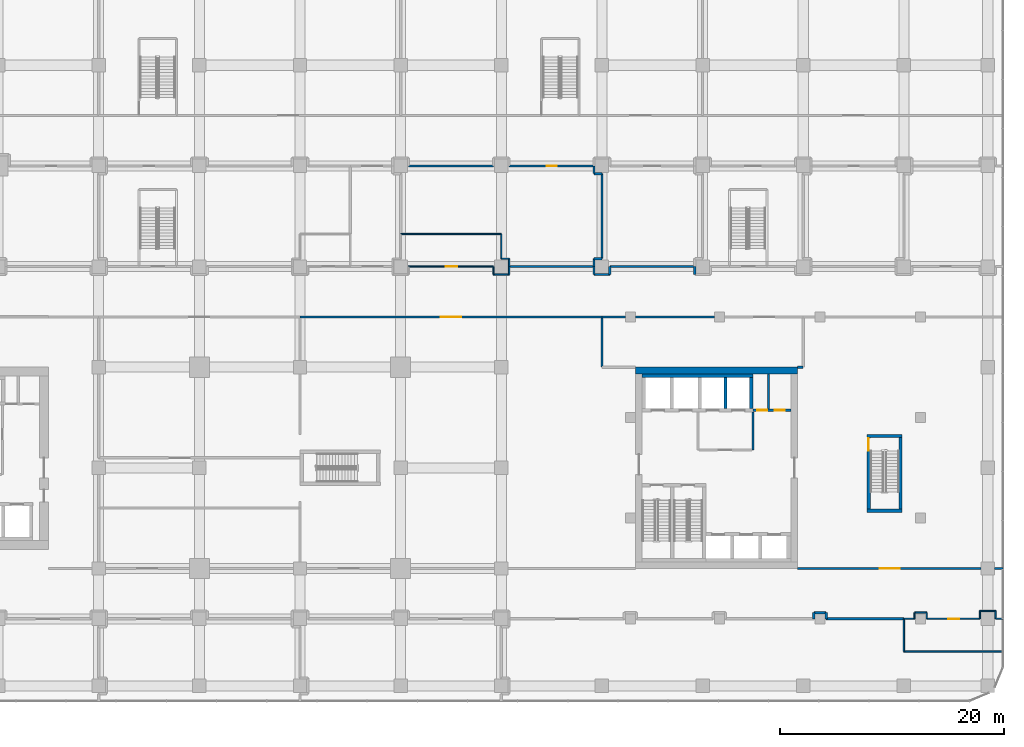
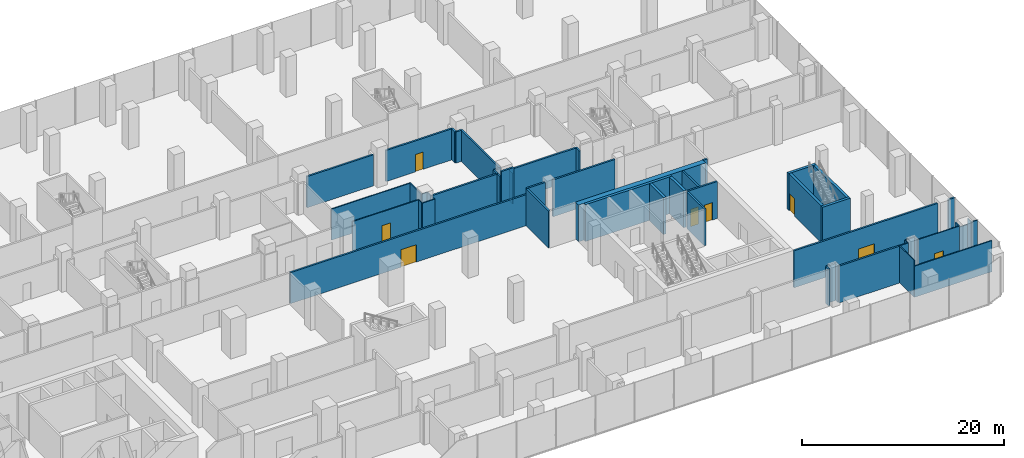
# One storey, part 34 of 42: 54 walls, 8 doors, 8 openings.
"""IFC4 building model written with IfcOpenShell, lengths in metres."""

import ifcopenshell
import ifcopenshell.guid

model = None  # the IFC model being written
_history = None  # IfcOwnerHistory: only IFC2X3 demands one
_inside = {}  # id of a spatial element -> (the spatial element, [elements in it])
_under = {}  # id of a project, library or spatial element -> (it, [spatial elements below it])
_declared = {}  # id of a project -> (the project, [libraries it declares])
_typed = {}  # id of a type object -> (the type object, [elements of that type])
_made_of = {}  # id of a material, layer set ... -> (it, [elements and type objects made of it])


def new_model(schema):
    """Start an empty IFC model of exactly this schema.

    Asked for "IFC4X3", IfcOpenShell would pick the latest addendum, in which some entities
    have other attributes; the version numbers below select the first issue.
    IFC2X3 requires an IfcOwnerHistory on every rooted entity: one is made here for all.
    """
    global model, _history
    if schema == "IFC4X3":
        model = ifcopenshell.file(schema_version=(4, 3, 0, 0))
    else:
        model = ifcopenshell.file(schema=schema)
    _inside.clear()
    _under.clear()
    _declared.clear()
    _typed.clear()
    _made_of.clear()
    _history = None
    if model.schema == "IFC2X3":
        org = make("IfcOrganization", Name="unknown")
        user = make(
            "IfcPersonAndOrganization",
            ThePerson=make("IfcPerson", FamilyName="unknown"),
            TheOrganization=org,
        )
        app = make(
            "IfcApplication",
            ApplicationDeveloper=org,
            Version="unknown",
            ApplicationFullName="unknown",
            ApplicationIdentifier="unknown",
        )
        _history = make(
            "IfcOwnerHistory",
            OwningUser=user,
            OwningApplication=app,
            ChangeAction="ADDED",
            CreationDate=0,
        )
    return model


def make(cls, **values):
    """One entity of the class cls with the attributes given. An attribute that is None is left unset."""
    return model.create_entity(
        cls, **{name: value for name, value in values.items() if value is not None}
    )


def rooted(cls, **values):
    """An entity with a GlobalId (a new one), such as an element, a storey or a relation."""
    return make(cls, GlobalId=ifcopenshell.guid.new(), OwnerHistory=_history, **values)


def si_unit(unit_type, name, prefix=None):
    """IfcSIUnit, for example si_unit("LENGTHUNIT", "METRE", prefix="MILLI")."""
    return make("IfcSIUnit", UnitType=unit_type, Prefix=prefix, Name=name)


def assignment(units):
    """IfcUnitAssignment: the units of a project."""
    return None if units is None else make("IfcUnitAssignment", Units=units)


def point(xyz):
    """IfcCartesianPoint."""
    return None if xyz is None else make("IfcCartesianPoint", Coordinates=xyz)


def direction(xyz):
    """IfcDirection."""
    return None if xyz is None else make("IfcDirection", DirectionRatios=xyz)


def frame(location, z_axis=None, x_axis=None):
    """IfcAxis2Placement3D, a coordinate frame: its origin and axes. An axis left out is left unset."""
    return make(
        "IfcAxis2Placement3D",
        Location=point(location),
        Axis=direction(z_axis),
        RefDirection=direction(x_axis),
    )


def frame_2d(location, x_axis=None):
    """IfcAxis2Placement2D, a coordinate frame in the plane: its origin and x axis."""
    return make(
        "IfcAxis2Placement2D", Location=point(location), RefDirection=direction(x_axis)
    )


def origin():
    """The frame at (0, 0, 0) with its axes left unset."""
    return frame((0.0, 0.0, 0.0))


def place(relative_to, where):
    """IfcLocalPlacement: puts the frame where relative to a parent placement (None: the world)."""
    return make(
        "IfcLocalPlacement", PlacementRelTo=relative_to, RelativePlacement=where
    )


def context(
    kind, dimensions, precision=None, world=None, true_north=None, identifier=None
):
    """IfcGeometricRepresentationContext, for example the 3D "Model" context."""
    return make(
        "IfcGeometricRepresentationContext",
        ContextIdentifier=identifier,
        ContextType=kind,
        CoordinateSpaceDimension=dimensions,
        Precision=precision,
        WorldCoordinateSystem=world,
        TrueNorth=true_north,
    )


def subcontext(parent, identifier, kind, view, scale=None):
    """IfcGeometricRepresentationSubContext, for example "Body" below "Model"."""
    return make(
        "IfcGeometricRepresentationSubContext",
        ContextIdentifier=identifier,
        ContextType=kind,
        ParentContext=parent,
        TargetScale=scale,
        TargetView=view,
    )


def project(units=None, contexts=None):
    """IfcProject with its units and contexts."""
    return rooted(
        "IfcProject",
        Name="project",
        RepresentationContexts=contexts,
        UnitsInContext=assignment(units),
    )


def spatial(cls, under=None, at=None, **own):
    """A site, building, storey or space (cls), placed at a placement, below another one or the project."""
    s = rooted(cls, ObjectPlacement=at, **own)
    if under is not None:
        _under.setdefault(under.id(), (under, []))[1].append(s)
    return s


def profile(cls, at=None, kind="AREA", **sizes):
    """A parametric profile (cls). Its sizes go by their IFC names, for example OverallWidth=200.0."""
    return make(cls, ProfileType=kind, Position=at, **sizes)


def rectangle(**sizes):
    """IfcRectangleProfileDef."""
    return profile("IfcRectangleProfileDef", **sizes)


def extrude(swept, where, along, depth):
    """IfcExtrudedAreaSolid: the profile swept, set in the frame where, extruded along a direction by depth."""
    return make(
        "IfcExtrudedAreaSolid",
        SweptArea=swept,
        Position=where,
        ExtrudedDirection=direction(along),
        Depth=depth,
    )


def shape(context_of_items, identifier, shape_type, items):
    """IfcShapeRepresentation: the items that make up one representation, for example the "Body"."""
    return make(
        "IfcShapeRepresentation",
        ContextOfItems=context_of_items,
        RepresentationIdentifier=identifier,
        RepresentationType=shape_type,
        Items=items,
    )


def material(Name=None, Category=None):
    """IfcMaterial."""
    return make("IfcMaterial", Name=Name, Category=Category)


def layer(
    of_material, thickness, ventilated=None, Name=None, Category=None, Priority=None
):
    """IfcMaterialLayer: one layer of a wall or slab, of a material (None: an air gap)."""
    return make(
        "IfcMaterialLayer",
        Material=of_material,
        LayerThickness=thickness,
        IsVentilated=ventilated,
        Name=Name,
        Category=Category,
        Priority=Priority,
    )


def layer_set(layers, Name=None):
    """IfcMaterialLayerSet."""
    return make("IfcMaterialLayerSet", MaterialLayers=layers, LayerSetName=Name)


def made_of(thing, what):
    """Note that an element or type object is made of a material, layer set ...; save() writes the relation."""
    if what is not None:
        _made_of.setdefault(what.id(), (what, []))[1].append(thing)
    return thing


def type_object(cls, material=None, **own):
    """A type object (cls), such as IfcWallType, which elements share."""
    return made_of(rooted(cls, **own), material)


def element(
    cls,
    number,
    at=None,
    inside=None,
    cuts=None,
    type_object=None,
    material=None,
    context=None,
    identifier="Body",
    shape_type=None,
    held_by="IfcProductDefinitionShape",
    body=None,
    shapes=None,
    **own,
):
    """One element of the class cls, such as IfcWall. Its Tag is "e" and its number.

    at: its placement. inside: the storey or other place that contains it. cuts: it is an
    opening in that element (IfcRelVoidsElement). A single representation is given by context,
    identifier, shape_type and body (its items); several are given by shapes. held_by: the class
    of the entity that holds the representations. save() writes the other relations.
    """
    e = rooted(cls, Tag="e%d" % number, ObjectPlacement=at, **own)
    if body is not None:
        shapes = [shape(context, identifier, shape_type, body)]
    if shapes is not None:
        e.Representation = make(held_by, Representations=shapes)
    if inside is not None:
        _inside.setdefault(inside.id(), (inside, []))[1].append(e)
    if cuts is not None:
        rooted(
            "IfcRelVoidsElement", RelatingBuildingElement=cuts, RelatedOpeningElement=e
        )
    if type_object is not None:
        _typed.setdefault(type_object.id(), (type_object, []))[1].append(e)
    return made_of(e, material)


def fill(opening, filler):
    """IfcRelFillsElement: the door or window that sits in an opening."""
    return rooted(
        "IfcRelFillsElement",
        RelatingOpeningElement=opening,
        RelatedBuildingElement=filler,
    )


def aggregate(whole, parts):
    """IfcRelAggregates: a whole, such as a stair, and the parts it consists of."""
    return rooted("IfcRelAggregates", RelatingObject=whole, RelatedObjects=parts)


def save(model, path):
    """Write the relations noted so far, then the file.

    IfcRelAggregates (storeys below a building ...), IfcRelContainedInSpatialStructure (elements
    in a storey), IfcRelDefinesByType, IfcRelAssociatesMaterial and IfcRelDeclares: one each for
    every whole, place, type object, material and project.
    """
    for whole, parts in _under.values():
        aggregate(whole, parts)
    for where, things in _inside.values():
        rooted(
            "IfcRelContainedInSpatialStructure",
            RelatedElements=things,
            RelatingStructure=where,
        )
    for kind, things in _typed.values():
        rooted("IfcRelDefinesByType", RelatedObjects=things, RelatingType=kind)
    for what, things in _made_of.values():
        rooted("IfcRelAssociatesMaterial", RelatedObjects=things, RelatingMaterial=what)
    for by, libraries in _declared.values():
        rooted("IfcRelDeclares", RelatingContext=by, RelatedDefinitions=libraries)
    model.write(path)


model = new_model("IFC4")

# Units and contexts
model_context = context("Model", 3, precision=1e-05, world=origin(), true_north=direction((0.0, 1.0)))
body_context = subcontext(model_context, "Body", "Model", "MODEL_VIEW")
ifc_project = project(units=[si_unit("LENGTHUNIT", "METRE"), si_unit("AREAUNIT", "SQUARE_METRE"), si_unit("VOLUMEUNIT", "CUBIC_METRE"), si_unit("PLANEANGLEUNIT", "RADIAN"), si_unit("MASSUNIT", "GRAM", prefix="KILO")], contexts=[model_context])

# Site, building, storey
site_placement = place(None, origin())
site = spatial("IfcSite", under=ifc_project, at=site_placement, CompositionType="ELEMENT")
building_placement = place(site_placement, origin())
building = spatial("IfcBuilding", under=site, at=building_placement, Name="Plateau Cross Towers", CompositionType="ELEMENT")
storey_placement = place(building_placement, frame((0.0, 0.0, 8.0)))
storey = spatial("IfcBuildingStorey", under=building, at=storey_placement, Name="L01", CompositionType="ELEMENT", Elevation=8.0)

# Wall
ifc_material_1 = material(Name="Concrete block, plastered both sides", Category="concrete")
ifc_layer_1 = layer(ifc_material_1, 0.199951171875)
ifc_layer_set_1 = layer_set([ifc_layer_1], Name="Concrete block, plastered both sides")
wall_type_1 = type_object("IfcWallType", Name="Core partition 200", PredefinedType="PARTITIONING", material=ifc_layer_set_1)
wall_1_placement = place(storey_placement, frame((85.5, 10.60009765625, 0.0), z_axis=(0.0, 0.0, 1.0), x_axis=(0.0, 1.0, 0.0)))
element("IfcWall", 1, at=wall_1_placement, inside=storey, type_object=wall_type_1, Name="Core partition", PredefinedType="PARTITIONING", context=body_context, shape_type="SweptSolid", body=[
    extrude(rectangle(XDim=3.39990234375, YDim=0.199951171875, at=frame_2d((1.699951171875, 0.0))), origin(), (0.0, 0.0, 1.0), 4.449951171875),
])

# Wall, openings, doors
wall_2_placement = place(storey_placement, frame((85.5, 14.14990234375, 0.0), z_axis=(0.0, 0.0, 1.0), x_axis=(1.0, 0.0, 0.0)))
wall_2 = element("IfcWall", 2, at=wall_2_placement, inside=storey, type_object=wall_type_1, Name="Core partition", PredefinedType="PARTITIONING", context=body_context, shape_type="SweptSolid", body=[
    extrude(rectangle(XDim=3.39990234375, YDim=0.199951171875, at=frame_2d((1.699951171875, 0.0))), origin(), (0.0, 0.0, 1.0), 4.449951171875),
])
opening_1_placement = place(wall_2_placement, frame((0.39990234375, 0.0, 0.0)))
opening_1 = element("IfcOpeningElement", 3, at=opening_1_placement, cuts=wall_2, Name="Opening RD2", PredefinedType="OPENING", context=body_context, shape_type="SweptSolid", body=[
    extrude(rectangle(XDim=0.89990234375, YDim=2.10009765625, at=frame_2d((0.449951171875, 1.050048828125))), frame((0.0, 0.10986328125, 0.0), z_axis=(0.0, -1.0, 0.0), x_axis=(1.0, 0.0, 0.0)), (0.0, 0.0, 1.0), 0.219970703125),
])
opening_2_placement = place(wall_2_placement, frame((1.949951171875, 0.0, 0.0)))
opening_2 = element("IfcOpeningElement", 4, at=opening_2_placement, cuts=wall_2, Name="Opening RD2", PredefinedType="OPENING", context=body_context, shape_type="SweptSolid", body=[
    extrude(rectangle(XDim=0.89990234375, YDim=2.10009765625, at=frame_2d((0.449951171875, 1.050048828125))), frame((0.0, 0.10986328125, 0.0), z_axis=(0.0, -1.0, 0.0), x_axis=(1.0, 0.0, 0.0)), (0.0, 0.0, 1.0), 0.219970703125),
])
ifc_material_2 = material(Name="Steel, fire-resisting leaf", Category="steel")
door_type_1 = type_object("IfcDoorType", Name="Core riser door 900", OperationType="NOTDEFINED", PredefinedType="DOOR", material=ifc_material_2)
door_1_placement = place(opening_1_placement, origin())
door_1 = element("IfcDoor", 5, at=door_1_placement, inside=storey, type_object=door_type_1, Name="Core riser door RD2", OperationType="SINGLE_SWING_LEFT", OverallHeight=2.10009765625, OverallWidth=0.89990234375, PredefinedType="DOOR", context=body_context, shape_type="SweptSolid", body=[
    extrude(rectangle(XDim=0.89990234375, YDim=2.10009765625, at=frame_2d((0.449951171875, 1.050048828125))), frame((0.0, 0.02490234375, 0.0), z_axis=(0.0, -1.0, 0.0), x_axis=(1.0, 0.0, 0.0)), (0.0, 0.0, 1.0), 0.050048828125),
])
fill(opening_1, door_1)
door_2_placement = place(opening_2_placement, origin())
door_2 = element("IfcDoor", 6, at=door_2_placement, inside=storey, type_object=door_type_1, Name="Core riser door RD2", OperationType="SINGLE_SWING_LEFT", OverallHeight=2.10009765625, OverallWidth=0.89990234375, PredefinedType="DOOR", context=body_context, shape_type="SweptSolid", body=[
    extrude(rectangle(XDim=0.89990234375, YDim=2.10009765625, at=frame_2d((0.449951171875, 1.050048828125))), frame((0.0, 0.02490234375, 0.0), z_axis=(0.0, -1.0, 0.0), x_axis=(1.0, 0.0, 0.0)), (0.0, 0.0, 1.0), 0.050048828125),
])
fill(opening_2, door_2)

# Walls
wall_3_placement = place(storey_placement, frame((86.89990234375, 14.25, 0.0), z_axis=(0.0, 0.0, 1.0), x_axis=(0.0, 1.0, 0.0)))
element("IfcWall", 7, at=wall_3_placement, inside=storey, type_object=wall_type_1, Name="Core partition", PredefinedType="PARTITIONING", context=body_context, shape_type="SweptSolid", body=[
    extrude(rectangle(XDim=3.14990234375, YDim=0.199951171875, at=frame_2d((1.574951171875, 0.0))), origin(), (0.0, 0.0, 1.0), 4.449951171875),
])
ifc_material_3 = material(Name="Concrete C60/75", Category="concrete")
ifc_layer_2 = layer(ifc_material_3, 0.300048828125)
ifc_layer_set_2 = layer_set([ifc_layer_2], Name="Concrete C60/75")
wall_type_2 = type_object("IfcWallType", Name="Core shaft wall 300", PredefinedType="SHEAR", material=ifc_layer_set_2)
wall_4_placement = place(storey_placement, frame((75.60009765625, 17.25, 0.0), z_axis=(0.0, 0.0, 1.0), x_axis=(1.0, 0.0, 0.0)))
element("IfcWall", 8, at=wall_4_placement, inside=storey, type_object=wall_type_2, Name="B-nb-back@L01", PredefinedType="SHEAR", context=body_context, shape_type="SweptSolid", body=[
    extrude(rectangle(XDim=9.89990234375, YDim=0.300048828125, at=frame_2d((4.949951171875, 0.0))), origin(), (0.0, 0.0, 1.0), 4.449951171875),
])
for number, where, z_axis, x_axis, name in (
    (9, (83.050048828125, 14.300048828125, 0.0), (0.0, 0.0, 1.0), (0.0, 1.0, 0.0), "B-nb-v3@L01"),
    (10, (85.35009765625, 14.300048828125, 0.0), (0.0, 0.0, 1.0), (0.0, 1.0, 0.0), "B-nb-v4@L01"),
):
    element("IfcWall", number, at=place(storey_placement, frame(where, z_axis=z_axis, x_axis=x_axis)), inside=storey, type_object=wall_type_2, Name=name, PredefinedType="SHEAR", context=body_context, shape_type="SweptSolid", body=[
        extrude(rectangle(XDim=2.800048828125, YDim=0.300048828125, at=frame_2d((1.39990234375, 0.0))), origin(), (0.0, 0.0, 1.0), 4.449951171875),
    ])

# Wall, opening, door
wall_5_placement = place(storey_placement, frame((95.85009765625, 5.300048828125, 0.0), z_axis=(0.0, 0.0, 1.0), x_axis=(0.0, 1.0, 0.0)))
wall_5 = element("IfcWall", 11, at=wall_5_placement, inside=storey, type_object=wall_type_2, Name="B-sb3-W@L01", PredefinedType="SHEAR", context=body_context, shape_type="SweptSolid", body=[
    extrude(rectangle(XDim=6.39990234375, YDim=0.300048828125, at=frame_2d((3.199951171875, 0.0))), origin(), (0.0, 0.0, 1.0), 4.449951171875),
])
opening_3_placement = place(wall_5_placement, frame((5.25, 0.0, 0.0)))
opening_3 = element("IfcOpeningElement", 12, at=opening_3_placement, cuts=wall_5, Name="Opening SD", PredefinedType="OPENING", context=body_context, shape_type="SweptSolid", body=[
    extrude(rectangle(XDim=1.10009765625, YDim=2.10009765625, at=frame_2d((0.550048828125, 1.050048828125))), frame((0.0, 0.159912109375, 0.0), z_axis=(0.0, -1.0, 0.0), x_axis=(1.0, 0.0, 0.0)), (0.0, 0.0, 1.0), 0.320068359375),
])
door_type_2 = type_object("IfcDoorType", Name="Stair door 1100", OperationType="NOTDEFINED", PredefinedType="DOOR", material=ifc_material_2)
door_3_placement = place(opening_3_placement, origin())
door_3 = element("IfcDoor", 13, at=door_3_placement, inside=storey, type_object=door_type_2, Name="Stair door SD", OperationType="SINGLE_SWING_LEFT", OverallHeight=2.10009765625, OverallWidth=1.10009765625, PredefinedType="DOOR", context=body_context, shape_type="SweptSolid", body=[
    extrude(rectangle(XDim=1.10009765625, YDim=2.10009765625, at=frame_2d((0.550048828125, 1.050048828125))), frame((0.0, 0.02490234375, 0.0), z_axis=(0.0, -1.0, 0.0), x_axis=(1.0, 0.0, 0.0)), (0.0, 0.0, 1.0), 0.050048828125),
])
fill(opening_3, door_3)

# Walls
wall_6_placement = place(storey_placement, frame((98.699951171875, 5.300048828125, 0.0), z_axis=(0.0, 0.0, 1.0), x_axis=(0.0, 1.0, 0.0)))
element("IfcWall", 14, at=wall_6_placement, inside=storey, type_object=wall_type_2, Name="B-sb3-E@L01", PredefinedType="SHEAR", context=body_context, shape_type="SweptSolid", body=[
    extrude(rectangle(XDim=6.39990234375, YDim=0.300048828125, at=frame_2d((3.199951171875, 0.0))), origin(), (0.0, 0.0, 1.0), 4.449951171875),
])
for number, where, z_axis, x_axis, name in (
    (15, (95.699951171875, 5.14990234375, 0.0), (0.0, 0.0, 1.0), (1.0, 0.0, 0.0), "B-sb3-S@L01"),
    (16, (95.699951171875, 11.85009765625, 0.0), (0.0, 0.0, 1.0), (1.0, 0.0, 0.0), "B-sb3-N@L01"),
):
    element("IfcWall", number, at=place(storey_placement, frame(where, z_axis=z_axis, x_axis=x_axis)), inside=storey, type_object=wall_type_2, Name=name, PredefinedType="SHEAR", context=body_context, shape_type="SweptSolid", body=[
        extrude(rectangle(XDim=3.150146484375, YDim=0.300048828125, at=frame_2d((1.5751953125, 0.0))), origin(), (0.0, 0.0, 1.0), 4.449951171875),
    ])
ifc_layer_3 = layer(ifc_material_3, 0.60009765625)
ifc_layer_set_3 = layer_set([ifc_layer_3], Name="Concrete C60/75")
wall_type_3 = type_object("IfcWallType", Name="Core shell wall 600", PredefinedType="SHEAR", material=ifc_layer_set_3)
wall_7_placement = place(storey_placement, frame((75.0, 17.699951171875, 0.0), z_axis=(0.0, 0.0, 1.0), x_axis=(1.0, 0.0, 0.0)))
element("IfcWall", 17, at=wall_7_placement, inside=storey, type_object=wall_type_3, Name="B-core-N@L01", PredefinedType="SHEAR", context=body_context, shape_type="SweptSolid", body=[
    extrude(rectangle(XDim=14.5, YDim=0.60009765625, at=frame_2d((7.25, 0.0))), origin(), (0.0, 0.0, 1.0), 4.449951171875),
])

# Wall, opening, door
ifc_material_4 = material(Name="Gypsum board on steel studs, two layers each side", Category="steel")
ifc_layer_4 = layer(ifc_material_4, 0.199951171875)
ifc_layer_set_4 = layer_set([ifc_layer_4], Name="Gypsum board on steel studs, two layers each side")
wall_type_4 = type_object("IfcWallType", Name="Podium compartment wall 200", PredefinedType="PARTITIONING", material=ifc_layer_set_4)
wall_8_placement = place(storey_placement, frame((71.300048828125, 36.0, 0.0), z_axis=(0.0, 0.0, 1.0), x_axis=(-1.0, 0.0, 0.0)))
wall_8 = element("IfcWall", 18, at=wall_8_placement, inside=storey, type_object=wall_type_4, Name="Partition wall", PredefinedType="PARTITIONING", context=body_context, shape_type="SweptSolid", body=[
    extrude(rectangle(XDim=7.60009765625, YDim=0.199951171875, at=frame_2d((3.800048828125, 0.0))), origin(), (0.0, 0.0, 1.0), 3.75),
])
opening_4_placement = place(wall_8_placement, frame((3.35009765625, 0.0, 0.0)))
opening_4 = element("IfcOpeningElement", 19, at=opening_4_placement, cuts=wall_8, Name="Opening 01-20", PredefinedType="OPENING", context=body_context, shape_type="SweptSolid", body=[
    extrude(rectangle(XDim=0.89990234375, YDim=2.10009765625, at=frame_2d((0.449951171875, 1.050048828125))), frame((0.0, 0.10986328125, 0.0), z_axis=(0.0, -1.0, 0.0), x_axis=(1.0, 0.0, 0.0)), (0.0, 0.0, 1.0), 0.219970703125),
])
ifc_material_5 = material(Name="Timber, fire-resisting leaf", Category="wood")
door_type_3 = type_object("IfcDoorType", Name="Podium service door 900", OperationType="NOTDEFINED", PredefinedType="DOOR", material=ifc_material_5)
door_4_placement = place(opening_4_placement, origin())
door_4 = element("IfcDoor", 20, at=door_4_placement, inside=storey, type_object=door_type_3, Name="Door 01-20", OperationType="SINGLE_SWING_LEFT", OverallHeight=2.10009765625, OverallWidth=0.89990234375, PredefinedType="DOOR", context=body_context, shape_type="SweptSolid", body=[
    extrude(rectangle(XDim=0.89990234375, YDim=2.10009765625, at=frame_2d((0.449951171875, 1.050048828125))), frame((0.0, 0.02490234375, 0.0), z_axis=(0.0, -1.0, 0.0), x_axis=(1.0, 0.0, 0.0)), (0.0, 0.0, 1.0), 0.050048828125),
])
fill(opening_4, door_4)

# Walls
ifc_material_6 = material(Name="Gypsum board on steel studs", Category="steel")
ifc_layer_5 = layer(ifc_material_6, 0.199951171875)
ifc_layer_set_5 = layer_set([ifc_layer_5], Name="Gypsum board on steel studs")
wall_type_5 = type_object("IfcWallType", Name="Podium partition 200", PredefinedType="PARTITIONING", material=ifc_layer_set_5)
wall_9_placement = place(storey_placement, frame((99.0, -4.5, 0.0), z_axis=(0.0, 0.0, 1.0), x_axis=(-1.0, 0.0, 0.0)))
element("IfcWall", 21, at=wall_9_placement, inside=storey, type_object=wall_type_5, Name="Partition wall", PredefinedType="PARTITIONING", context=body_context, shape_type="SweptSolid", body=[
    extrude(rectangle(XDim=6.949951171875, YDim=0.199951171875, at=frame_2d((3.47509765625, 0.0))), origin(), (0.0, 0.0, 1.0), 4.449951171875),
])
wall_10_placement = place(storey_placement, frame((92.050048828125, -4.5, 0.0), z_axis=(0.0, 0.0, 1.0), x_axis=(0.0, 1.0, 0.0)))
element("IfcWall", 22, at=wall_10_placement, inside=storey, type_object=wall_type_5, Name="Partition wall", PredefinedType="PARTITIONING", context=body_context, shape_type="SweptSolid", body=[
    extrude(rectangle(XDim=0.550048828125, YDim=0.199951171875, at=frame_2d((0.27490234375, 0.0))), origin(), (0.0, 0.0, 1.0), 4.449951171875),
])
wall_11_placement = place(storey_placement, frame((92.050048828125, -3.949951171875, 0.0), z_axis=(0.0, 0.0, 1.0), x_axis=(-1.0, 0.0, 0.0)))
element("IfcWall", 23, at=wall_11_placement, inside=storey, type_object=wall_type_5, Name="Partition wall", PredefinedType="PARTITIONING", context=body_context, shape_type="SweptSolid", body=[
    extrude(rectangle(XDim=1.10009765625, YDim=0.199951171875, at=frame_2d((0.550048828125, 0.0))), origin(), (0.0, 0.0, 1.0), 4.449951171875),
])
wall_12_placement = place(storey_placement, frame((90.949951171875, -3.949951171875, 0.0), z_axis=(0.0, 0.0, 1.0), x_axis=(0.0, -1.0, 0.0)))
element("IfcWall", 24, at=wall_12_placement, inside=storey, type_object=wall_type_5, Name="Partition wall", PredefinedType="PARTITIONING", context=body_context, shape_type="SweptSolid", body=[
    extrude(rectangle(XDim=0.550048828125, YDim=0.199951171875, at=frame_2d((0.27490234375, 0.0))), origin(), (0.0, 0.0, 1.0), 4.449951171875),
])

# Wall, opening, door
wall_13_placement = place(storey_placement, frame((72.0, 22.5, 0.0), z_axis=(0.0, 0.0, 1.0), x_axis=(-1.0, 0.0, 0.0)))
wall_13 = element("IfcWall", 25, at=wall_13_placement, inside=storey, type_object=wall_type_5, Name="Partition wall", PredefinedType="PARTITIONING", context=body_context, shape_type="SweptSolid", body=[
    extrude(rectangle(XDim=27.0, YDim=0.199951171875, at=frame_2d((13.5, 0.0))), origin(), (0.0, 0.0, 1.0), 3.75),
])
opening_5_placement = place(wall_13_placement, frame((12.60009765625, 0.0, 0.0)))
opening_5 = element("IfcOpeningElement", 26, at=opening_5_placement, cuts=wall_13, Name="Opening 01-28", PredefinedType="OPENING", context=body_context, shape_type="SweptSolid", body=[
    extrude(rectangle(XDim=1.800048828125, YDim=2.10009765625, at=frame_2d((0.89990234375, 1.050048828125))), frame((0.0, 0.10986328125, 0.0), z_axis=(0.0, -1.0, 0.0), x_axis=(1.0, 0.0, 0.0)), (0.0, 0.0, 1.0), 0.219970703125),
])
ifc_material_7 = material(Name="Aluminium frame, toughened glass", Category="aluminium")
door_type_4 = type_object("IfcDoorType", Name="Podium door pair 1800", OperationType="NOTDEFINED", PredefinedType="DOOR", material=ifc_material_7)
door_5_placement = place(opening_5_placement, origin())
door_5 = element("IfcDoor", 27, at=door_5_placement, inside=storey, type_object=door_type_4, Name="Door 01-28", OperationType="DOUBLE_DOOR_SINGLE_SWING", OverallHeight=2.10009765625, OverallWidth=1.800048828125, PredefinedType="DOOR", context=body_context, shape_type="SweptSolid", body=[
    extrude(rectangle(XDim=1.800048828125, YDim=2.10009765625, at=frame_2d((0.89990234375, 1.050048828125))), frame((0.0, 0.02490234375, 0.0), z_axis=(0.0, -1.0, 0.0), x_axis=(1.0, 0.0, 0.0)), (0.0, 0.0, 1.0), 0.050048828125),
])
fill(opening_5, door_5)

# Wall
wall_14_placement = place(storey_placement, frame((62.300048828125, 36.0, 0.0), z_axis=(0.0, 0.0, 1.0), x_axis=(-1.0, 0.0, 0.0)))
element("IfcWall", 28, at=wall_14_placement, inside=storey, type_object=wall_type_5, Name="Partition wall", PredefinedType="PARTITIONING", context=body_context, shape_type="SweptSolid", body=[
    extrude(rectangle(XDim=7.60009765625, YDim=0.199951171875, at=frame_2d((3.800048828125, 0.0))), origin(), (0.0, 0.0, 1.0), 3.75),
])

# Wall, opening, door
wall_15_placement = place(storey_placement, frame((89.5, 0.0, 0.0), z_axis=(0.0, 0.0, 1.0), x_axis=(1.0, 0.0, 0.0)))
wall_15 = element("IfcWall", 29, at=wall_15_placement, inside=storey, type_object=wall_type_5, Name="Partition wall", PredefinedType="PARTITIONING", context=body_context, shape_type="SweptSolid", body=[
    extrude(rectangle(XDim=16.39990234375, YDim=0.199951171875, at=frame_2d((8.199951171875, 0.0))), origin(), (0.0, 0.0, 1.0), 4.449951171875),
])
opening_6_placement = place(wall_15_placement, frame((7.35009765625, 0.0, 0.0)))
opening_6 = element("IfcOpeningElement", 30, at=opening_6_placement, cuts=wall_15, Name="Opening 01-33", PredefinedType="OPENING", context=body_context, shape_type="SweptSolid", body=[
    extrude(rectangle(XDim=1.800048828125, YDim=2.10009765625, at=frame_2d((0.89990234375, 1.050048828125))), frame((0.0, 0.10986328125, 0.0), z_axis=(0.0, -1.0, 0.0), x_axis=(1.0, 0.0, 0.0)), (0.0, 0.0, 1.0), 0.219970703125),
])
door_6_placement = place(opening_6_placement, origin())
door_6 = element("IfcDoor", 31, at=door_6_placement, inside=storey, type_object=door_type_4, Name="Door 01-33", OperationType="DOUBLE_DOOR_SINGLE_SWING", OverallHeight=2.10009765625, OverallWidth=1.800048828125, PredefinedType="DOOR", context=body_context, shape_type="SweptSolid", body=[
    extrude(rectangle(XDim=1.800048828125, YDim=2.10009765625, at=frame_2d((0.89990234375, 1.050048828125))), frame((0.0, 0.02490234375, 0.0), z_axis=(0.0, -1.0, 0.0), x_axis=(1.0, 0.0, 0.0)), (0.0, 0.0, 1.0), 0.050048828125),
])
fill(opening_6, door_6)

# Walls
wall_16_placement = place(storey_placement, frame((107.10009765625, 0.0, 0.0), z_axis=(0.0, 0.0, 1.0), x_axis=(1.0, 0.0, 0.0)))
element("IfcWall", 32, at=wall_16_placement, inside=storey, type_object=wall_type_5, Name="Partition wall", PredefinedType="PARTITIONING", context=body_context, shape_type="SweptSolid", body=[
    extrude(rectangle(XDim=0.75, YDim=0.199951171875, at=frame_2d((0.375, 0.0))), origin(), (0.0, 0.0, 1.0), 4.449951171875),
])
wall_17_placement = place(storey_placement, frame((82.050048828125, 22.5, 0.0), z_axis=(0.0, 0.0, 1.0), x_axis=(-1.0, 0.0, 0.0)))
element("IfcWall", 33, at=wall_17_placement, inside=storey, type_object=wall_type_5, Name="Partition wall", PredefinedType="PARTITIONING", context=body_context, shape_type="SweptSolid", body=[
    extrude(rectangle(XDim=7.050048828125, YDim=0.199951171875, at=frame_2d((3.52490234375, 0.0))), origin(), (0.0, 0.0, 1.0), 4.449951171875),
])
wall_18_placement = place(storey_placement, frame((74.10009765625, 22.5, 0.0), z_axis=(0.0, 0.0, 1.0), x_axis=(-1.0, 0.0, 0.0)))
element("IfcWall", 34, at=wall_18_placement, inside=storey, type_object=wall_type_5, Name="Partition wall", PredefinedType="PARTITIONING", context=body_context, shape_type="SweptSolid", body=[
    extrude(rectangle(XDim=2.10009765625, YDim=0.199951171875, at=frame_2d((1.050048828125, 0.0))), origin(), (0.0, 0.0, 1.0), 4.449951171875),
])
wall_19_placement = place(storey_placement, frame((71.300048828125, 27.0, 0.0), z_axis=(0.0, 0.0, 1.0), x_axis=(0.0, -1.0, 0.0)))
element("IfcWall", 35, at=wall_19_placement, inside=storey, type_object=wall_type_5, Name="Partition wall", PredefinedType="PARTITIONING", context=body_context, shape_type="SweptSolid", body=[
    extrude(rectangle(XDim=0.699951171875, YDim=0.199951171875, at=frame_2d((0.35009765625, 0.0))), origin(), (0.0, 0.0, 1.0), 3.75),
])
wall_20_placement = place(storey_placement, frame((71.300048828125, 26.300048828125, 0.0), z_axis=(0.0, 0.0, 1.0), x_axis=(1.0, 0.0, 0.0)))
element("IfcWall", 36, at=wall_20_placement, inside=storey, type_object=wall_type_5, Name="Partition wall", PredefinedType="PARTITIONING", context=body_context, shape_type="SweptSolid", body=[
    extrude(rectangle(XDim=1.39990234375, YDim=0.199951171875, at=frame_2d((0.699951171875, 0.0))), origin(), (0.0, 0.0, 1.0), 4.449951171875),
])
wall_21_placement = place(storey_placement, frame((72.699951171875, 26.300048828125, 0.0), z_axis=(0.0, 0.0, 1.0), x_axis=(0.0, 1.0, 0.0)))
element("IfcWall", 37, at=wall_21_placement, inside=storey, type_object=wall_type_5, Name="Partition wall", PredefinedType="PARTITIONING", context=body_context, shape_type="SweptSolid", body=[
    extrude(rectangle(XDim=0.699951171875, YDim=0.199951171875, at=frame_2d((0.35009765625, 0.0))), origin(), (0.0, 0.0, 1.0), 3.75),
])
wall_22_placement = place(storey_placement, frame((72.699951171875, 27.0, 0.0), z_axis=(0.0, 0.0, 1.0), x_axis=(1.0, 0.0, 0.0)))
element("IfcWall", 38, at=wall_22_placement, inside=storey, type_object=wall_type_5, Name="Partition wall", PredefinedType="PARTITIONING", context=body_context, shape_type="SweptSolid", body=[
    extrude(rectangle(XDim=7.60009765625, YDim=0.199951171875, at=frame_2d((3.800048828125, 0.0))), origin(), (0.0, 0.0, 1.0), 3.75),
])
for number, where, z_axis, x_axis, name in (
    (39, (71.300048828125, 36.0, 0.0), (0.0, 0.0, 1.0), (0.0, -1.0, 0.0), "Partition wall"),
    (40, (71.300048828125, 35.300048828125, 0.0), (0.0, 0.0, 1.0), (1.0, 0.0, 0.0), "Partition wall"),
):
    element("IfcWall", number, at=place(storey_placement, frame(where, z_axis=z_axis, x_axis=x_axis)), inside=storey, type_object=wall_type_5, Name=name, PredefinedType="PARTITIONING", context=body_context, shape_type="SweptSolid", body=[
        extrude(rectangle(XDim=0.699951171875, YDim=0.199951171875, at=frame_2d((0.35009765625, 0.0))), origin(), (0.0, 0.0, 1.0), 3.75),
    ])
wall_23_placement = place(storey_placement, frame((72.0, 35.300048828125, 0.0), z_axis=(0.0, 0.0, 1.0), x_axis=(0.0, -1.0, 0.0)))
element("IfcWall", 41, at=wall_23_placement, inside=storey, type_object=wall_type_5, Name="Partition wall", PredefinedType="PARTITIONING", context=body_context, shape_type="SweptSolid", body=[
    extrude(rectangle(XDim=7.60009765625, YDim=0.199951171875, at=frame_2d((3.800048828125, 0.0))), origin(), (0.0, 0.0, 1.0), 3.75),
])
for number, where, z_axis, x_axis, name in (
    (42, (72.0, 27.699951171875, 0.0), (0.0, 0.0, 1.0), (-1.0, 0.0, 0.0), "Partition wall"),
    (43, (71.300048828125, 27.699951171875, 0.0), (0.0, 0.0, 1.0), (0.0, -1.0, 0.0), "Partition wall"),
):
    element("IfcWall", number, at=place(storey_placement, frame(where, z_axis=z_axis, x_axis=x_axis)), inside=storey, type_object=wall_type_5, Name=name, PredefinedType="PARTITIONING", context=body_context, shape_type="SweptSolid", body=[
        extrude(rectangle(XDim=0.699951171875, YDim=0.199951171875, at=frame_2d((0.35009765625, 0.0))), origin(), (0.0, 0.0, 1.0), 3.75),
    ])
wall_24_placement = place(storey_placement, frame((63.800048828125, 27.0, 0.0), z_axis=(0.0, 0.0, 1.0), x_axis=(1.0, 0.0, 0.0)))
element("IfcWall", 44, at=wall_24_placement, inside=storey, type_object=wall_type_5, Name="Partition wall", PredefinedType="PARTITIONING", context=body_context, shape_type="SweptSolid", body=[
    extrude(rectangle(XDim=7.39990234375, YDim=0.199951171875, at=frame_2d((3.699951171875, 0.0))), origin(), (0.0, 0.0, 1.0), 3.75),
])
wall_25_placement = place(storey_placement, frame((72.0, 18.0, 0.0), z_axis=(0.0, 0.0, 1.0), x_axis=(0.0, 1.0, 0.0)))
element("IfcWall", 45, at=wall_25_placement, inside=storey, type_object=wall_type_5, Name="Partition wall", PredefinedType="PARTITIONING", context=body_context, shape_type="SweptSolid", body=[
    extrude(rectangle(XDim=4.39990234375, YDim=0.199951171875, at=frame_2d((2.199951171875, 0.0))), origin(), (0.0, 0.0, 1.0), 4.449951171875),
])
wall_26_placement = place(storey_placement, frame((80.300048828125, 27.0, 0.0), z_axis=(0.0, 0.0, 1.0), x_axis=(0.0, -1.0, 0.0)))
element("IfcWall", 46, at=wall_26_placement, inside=storey, type_object=wall_type_5, Name="Partition wall", PredefinedType="PARTITIONING", context=body_context, shape_type="SweptSolid", body=[
    extrude(rectangle(XDim=0.699951171875, YDim=0.199951171875, at=frame_2d((0.35009765625, 0.0))), origin(), (0.0, 0.0, 1.0), 3.75),
])
wall_27_placement = place(storey_placement, frame((90.0, 18.0, 0.0), z_axis=(0.0, 0.0, 1.0), x_axis=(-1.0, 0.0, 0.0)))
element("IfcWall", 47, at=wall_27_placement, inside=storey, type_object=wall_type_5, Name="Partition wall", PredefinedType="PARTITIONING", context=body_context, shape_type="SweptSolid", body=[
    extrude(rectangle(XDim=0.5, YDim=0.199951171875, at=frame_2d((0.25, 0.0))), origin(), (0.0, 0.0, 1.0), 4.449951171875),
])

# Wall, opening, door
ifc_material_8 = material(Name="Moisture-resistant board on steel studs, tiled one side", Category="steel")
ifc_layer_6 = layer(ifc_material_8, 0.1201171875)
ifc_layer_set_6 = layer_set([ifc_layer_6], Name="Moisture-resistant board on steel studs, tiled one side")
wall_type_6 = type_object("IfcWallType", Name="Sanitary partition 120", PredefinedType="PARTITIONING", material=ifc_layer_set_6)
wall_28_placement = place(storey_placement, frame((54.699951171875, 27.0, 0.0), z_axis=(0.0, 0.0, 1.0), x_axis=(1.0, 0.0, 0.0)))
wall_28 = element("IfcWall", 48, at=wall_28_placement, inside=storey, type_object=wall_type_6, Name="Partition wall", PredefinedType="PARTITIONING", context=body_context, shape_type="SweptSolid", body=[
    extrude(rectangle(XDim=7.60009765625, YDim=0.1201171875, at=frame_2d((3.800048828125, 0.0))), origin(), (0.0, 0.0, 1.0), 3.75),
])
opening_7_placement = place(wall_28_placement, frame((3.35009765625, 0.0, 0.0)))
opening_7 = element("IfcOpeningElement", 49, at=opening_7_placement, cuts=wall_28, Name="Opening 01-19", PredefinedType="OPENING", context=body_context, shape_type="SweptSolid", body=[
    extrude(rectangle(XDim=1.0, YDim=2.10009765625, at=frame_2d((0.5, 1.050048828125))), frame((0.0, 0.070068359375, 0.0), z_axis=(0.0, -1.0, 0.0), x_axis=(1.0, 0.0, 0.0)), (0.0, 0.0, 1.0), 0.14013671875),
])
ifc_material_9 = material(Name="Timber leaf", Category="wood")
door_type_5 = type_object("IfcDoorType", Name="Podium clinic door 1000", OperationType="NOTDEFINED", PredefinedType="DOOR", material=ifc_material_9)
door_7_placement = place(opening_7_placement, origin())
door_7 = element("IfcDoor", 50, at=door_7_placement, inside=storey, type_object=door_type_5, Name="Door 01-19", OperationType="SINGLE_SWING_LEFT", OverallHeight=2.10009765625, OverallWidth=1.0, PredefinedType="DOOR", context=body_context, shape_type="SweptSolid", body=[
    extrude(rectangle(XDim=1.0, YDim=2.10009765625, at=frame_2d((0.5, 1.050048828125))), frame((0.0, 0.02490234375, 0.0), z_axis=(0.0, -1.0, 0.0), x_axis=(1.0, 0.0, 0.0)), (0.0, 0.0, 1.0), 0.050048828125),
])
fill(opening_7, door_7)

# Walls
wall_29_placement = place(storey_placement, frame((62.300048828125, 27.0, 0.0), z_axis=(0.0, 0.0, 1.0), x_axis=(0.0, -1.0, 0.0)))
element("IfcWall", 51, at=wall_29_placement, inside=storey, type_object=wall_type_6, Name="Partition wall", PredefinedType="PARTITIONING", context=body_context, shape_type="SweptSolid", body=[
    extrude(rectangle(XDim=0.699951171875, YDim=0.1201171875, at=frame_2d((0.35009765625, 0.0))), origin(), (0.0, 0.0, 1.0), 3.75),
])
wall_30_placement = place(storey_placement, frame((62.300048828125, 26.300048828125, 0.0), z_axis=(0.0, 0.0, 1.0), x_axis=(1.0, 0.0, 0.0)))
element("IfcWall", 52, at=wall_30_placement, inside=storey, type_object=wall_type_6, Name="Partition wall", PredefinedType="PARTITIONING", context=body_context, shape_type="SweptSolid", body=[
    extrude(rectangle(XDim=1.39990234375, YDim=0.1201171875, at=frame_2d((0.699951171875, 0.0))), origin(), (0.0, 0.0, 1.0), 3.75),
])
wall_31_placement = place(storey_placement, frame((63.699951171875, 26.300048828125, 0.0), z_axis=(0.0, 0.0, 1.0), x_axis=(0.0, 1.0, 0.0)))
element("IfcWall", 53, at=wall_31_placement, inside=storey, type_object=wall_type_6, Name="Partition wall", PredefinedType="PARTITIONING", context=body_context, shape_type="SweptSolid", body=[
    extrude(rectangle(XDim=0.699951171875, YDim=0.1201171875, at=frame_2d((0.35009765625, 0.0))), origin(), (0.0, 0.0, 1.0), 3.75),
])
wall_32_placement = place(storey_placement, frame((54.0, 29.910888671875, 0.0), z_axis=(0.0, 0.0, 1.0), x_axis=(1.0, 0.0, 0.0)))
element("IfcWall", 54, at=wall_32_placement, inside=storey, type_object=wall_type_6, Name="Partition wall", PredefinedType="PARTITIONING", context=body_context, shape_type="SweptSolid", body=[
    extrude(rectangle(XDim=9.0, YDim=0.1201171875, at=frame_2d((4.5, 0.0))), origin(), (0.0, 0.0, 1.0), 3.75),
])
wall_33_placement = place(storey_placement, frame((63.0, 29.910888671875, 0.0), z_axis=(0.0, 0.0, 1.0), x_axis=(0.0, -1.0, 0.0)))
element("IfcWall", 55, at=wall_33_placement, inside=storey, type_object=wall_type_6, Name="Partition wall", PredefinedType="PARTITIONING", context=body_context, shape_type="SweptSolid", body=[
    extrude(rectangle(XDim=2.2109375, YDim=0.1201171875, at=frame_2d((1.10546875, 0.0))), origin(), (0.0, 0.0, 1.0), 3.75),
])
for number, where, z_axis, x_axis, name in (
    (56, (63.0, 27.699951171875, 0.0), (0.0, 0.0, 1.0), (1.0, 0.0, 0.0), "Partition wall"),
    (57, (63.699951171875, 27.699951171875, 0.0), (0.0, 0.0, 1.0), (0.0, -1.0, 0.0), "Partition wall"),
):
    element("IfcWall", number, at=place(storey_placement, frame(where, z_axis=z_axis, x_axis=x_axis)), inside=storey, type_object=wall_type_6, Name=name, PredefinedType="PARTITIONING", context=body_context, shape_type="SweptSolid", body=[
        extrude(rectangle(XDim=0.699951171875, YDim=0.1201171875, at=frame_2d((0.35009765625, 0.0))), origin(), (0.0, 0.0, 1.0), 3.75),
    ])
wall_34_placement = place(storey_placement, frame((99.0, -4.5, 0.0), z_axis=(0.0, 0.0, 1.0), x_axis=(0.0, -1.0, 0.0)))
element("IfcWall", 58, at=wall_34_placement, inside=storey, type_object=wall_type_6, Name="Partition wall", PredefinedType="PARTITIONING", context=body_context, shape_type="SweptSolid", body=[
    extrude(rectangle(XDim=2.910888671875, YDim=0.1201171875, at=frame_2d((1.45556640625, 0.0))), origin(), (0.0, 0.0, 1.0), 4.449951171875),
])
wall_35_placement = place(storey_placement, frame((99.0, -7.410888671875, 0.0), z_axis=(0.0, 0.0, 1.0), x_axis=(1.0, 0.0, 0.0)))
element("IfcWall", 59, at=wall_35_placement, inside=storey, type_object=wall_type_6, Name="Partition wall", PredefinedType="PARTITIONING", context=body_context, shape_type="SweptSolid", body=[
    extrude(rectangle(XDim=8.85009765625, YDim=0.1201171875, at=frame_2d((4.425048828125, 0.0))), origin(), (0.0, 0.0, 1.0), 3.75),
])
wall_36_placement = place(storey_placement, frame((107.85009765625, -4.5, 0.0), z_axis=(0.0, 0.0, 1.0), x_axis=(-1.0, 0.0, 0.0)))
element("IfcWall", 60, at=wall_36_placement, inside=storey, type_object=wall_type_6, Name="Partition wall", PredefinedType="PARTITIONING", context=body_context, shape_type="SweptSolid", body=[
    extrude(rectangle(XDim=0.650146484375, YDim=0.1201171875, at=frame_2d((0.3251953125, 0.0))), origin(), (0.0, 0.0, 1.0), 4.449951171875),
])
wall_37_placement = place(storey_placement, frame((107.199951171875, -4.5, 0.0), z_axis=(0.0, 0.0, 1.0), x_axis=(0.0, 1.0, 0.0)))
element("IfcWall", 61, at=wall_37_placement, inside=storey, type_object=wall_type_6, Name="Partition wall", PredefinedType="PARTITIONING", context=body_context, shape_type="SweptSolid", body=[
    extrude(rectangle(XDim=0.699951171875, YDim=0.1201171875, at=frame_2d((0.35009765625, 0.0))), origin(), (0.0, 0.0, 1.0), 4.449951171875),
])
wall_38_placement = place(storey_placement, frame((107.199951171875, -3.800048828125, 0.0), z_axis=(0.0, 0.0, 1.0), x_axis=(-1.0, 0.0, 0.0)))
element("IfcWall", 62, at=wall_38_placement, inside=storey, type_object=wall_type_6, Name="Partition wall", PredefinedType="PARTITIONING", context=body_context, shape_type="SweptSolid", body=[
    extrude(rectangle(XDim=1.39990234375, YDim=0.1201171875, at=frame_2d((0.699951171875, 0.0))), origin(), (0.0, 0.0, 1.0), 3.75),
])
wall_39_placement = place(storey_placement, frame((105.800048828125, -3.800048828125, 0.0), z_axis=(0.0, 0.0, 1.0), x_axis=(0.0, -1.0, 0.0)))
element("IfcWall", 63, at=wall_39_placement, inside=storey, type_object=wall_type_6, Name="Partition wall", PredefinedType="PARTITIONING", context=body_context, shape_type="SweptSolid", body=[
    extrude(rectangle(XDim=0.699951171875, YDim=0.1201171875, at=frame_2d((0.35009765625, 0.0))), origin(), (0.0, 0.0, 1.0), 4.449951171875),
])

# Wall, opening, door
wall_40_placement = place(storey_placement, frame((105.800048828125, -4.5, 0.0), z_axis=(0.0, 0.0, 1.0), x_axis=(-1.0, 0.0, 0.0)))
wall_40 = element("IfcWall", 64, at=wall_40_placement, inside=storey, type_object=wall_type_6, Name="Partition wall", PredefinedType="PARTITIONING", context=body_context, shape_type="SweptSolid", body=[
    extrude(rectangle(XDim=4.75, YDim=0.1201171875, at=frame_2d((2.375, 0.0))), origin(), (0.0, 0.0, 1.0), 4.449951171875),
])
opening_8_placement = place(wall_40_placement, frame((1.85009765625, 0.0, 0.0)))
opening_8 = element("IfcOpeningElement", 65, at=opening_8_placement, cuts=wall_40, Name="Opening 01-12", PredefinedType="OPENING", context=body_context, shape_type="SweptSolid", body=[
    extrude(rectangle(XDim=1.0, YDim=2.10009765625, at=frame_2d((0.5, 1.050048828125))), frame((0.0, 0.070068359375, 0.0), z_axis=(0.0, -1.0, 0.0), x_axis=(1.0, 0.0, 0.0)), (0.0, 0.0, 1.0), 0.14013671875),
])
door_8_placement = place(opening_8_placement, origin())
door_8 = element("IfcDoor", 66, at=door_8_placement, inside=storey, type_object=door_type_5, Name="Door 01-12", OperationType="SINGLE_SWING_LEFT", OverallHeight=2.10009765625, OverallWidth=1.0, PredefinedType="DOOR", context=body_context, shape_type="SweptSolid", body=[
    extrude(rectangle(XDim=1.0, YDim=2.10009765625, at=frame_2d((0.5, 1.050048828125))), frame((0.0, 0.02490234375, 0.0), z_axis=(0.0, -1.0, 0.0), x_axis=(1.0, 0.0, 0.0)), (0.0, 0.0, 1.0), 0.050048828125),
])
fill(opening_8, door_8)

# Walls
wall_41_placement = place(storey_placement, frame((101.050048828125, -4.5, 0.0), z_axis=(0.0, 0.0, 1.0), x_axis=(0.0, 1.0, 0.0)))
element("IfcWall", 67, at=wall_41_placement, inside=storey, type_object=wall_type_6, Name="Partition wall", PredefinedType="PARTITIONING", context=body_context, shape_type="SweptSolid", body=[
    extrude(rectangle(XDim=0.550048828125, YDim=0.1201171875, at=frame_2d((0.27490234375, 0.0))), origin(), (0.0, 0.0, 1.0), 4.449951171875),
])
wall_42_placement = place(storey_placement, frame((101.050048828125, -3.949951171875, 0.0), z_axis=(0.0, 0.0, 1.0), x_axis=(-1.0, 0.0, 0.0)))
element("IfcWall", 68, at=wall_42_placement, inside=storey, type_object=wall_type_6, Name="Partition wall", PredefinedType="PARTITIONING", context=body_context, shape_type="SweptSolid", body=[
    extrude(rectangle(XDim=1.10009765625, YDim=0.1201171875, at=frame_2d((0.550048828125, 0.0))), origin(), (0.0, 0.0, 1.0), 4.449951171875),
])
wall_43_placement = place(storey_placement, frame((99.949951171875, -3.949951171875, 0.0), z_axis=(0.0, 0.0, 1.0), x_axis=(0.0, -1.0, 0.0)))
element("IfcWall", 69, at=wall_43_placement, inside=storey, type_object=wall_type_6, Name="Partition wall", PredefinedType="PARTITIONING", context=body_context, shape_type="SweptSolid", body=[
    extrude(rectangle(XDim=0.550048828125, YDim=0.1201171875, at=frame_2d((0.27490234375, 0.0))), origin(), (0.0, 0.0, 1.0), 4.449951171875),
])
wall_44_placement = place(storey_placement, frame((99.949951171875, -4.5, 0.0), z_axis=(0.0, 0.0, 1.0), x_axis=(-1.0, 0.0, 0.0)))
element("IfcWall", 70, at=wall_44_placement, inside=storey, type_object=wall_type_6, Name="Partition wall", PredefinedType="PARTITIONING", context=body_context, shape_type="SweptSolid", body=[
    extrude(rectangle(XDim=0.949951171875, YDim=0.1201171875, at=frame_2d((0.47509765625, 0.0))), origin(), (0.0, 0.0, 1.0), 4.449951171875),
])

save(model, "model.ifc")
